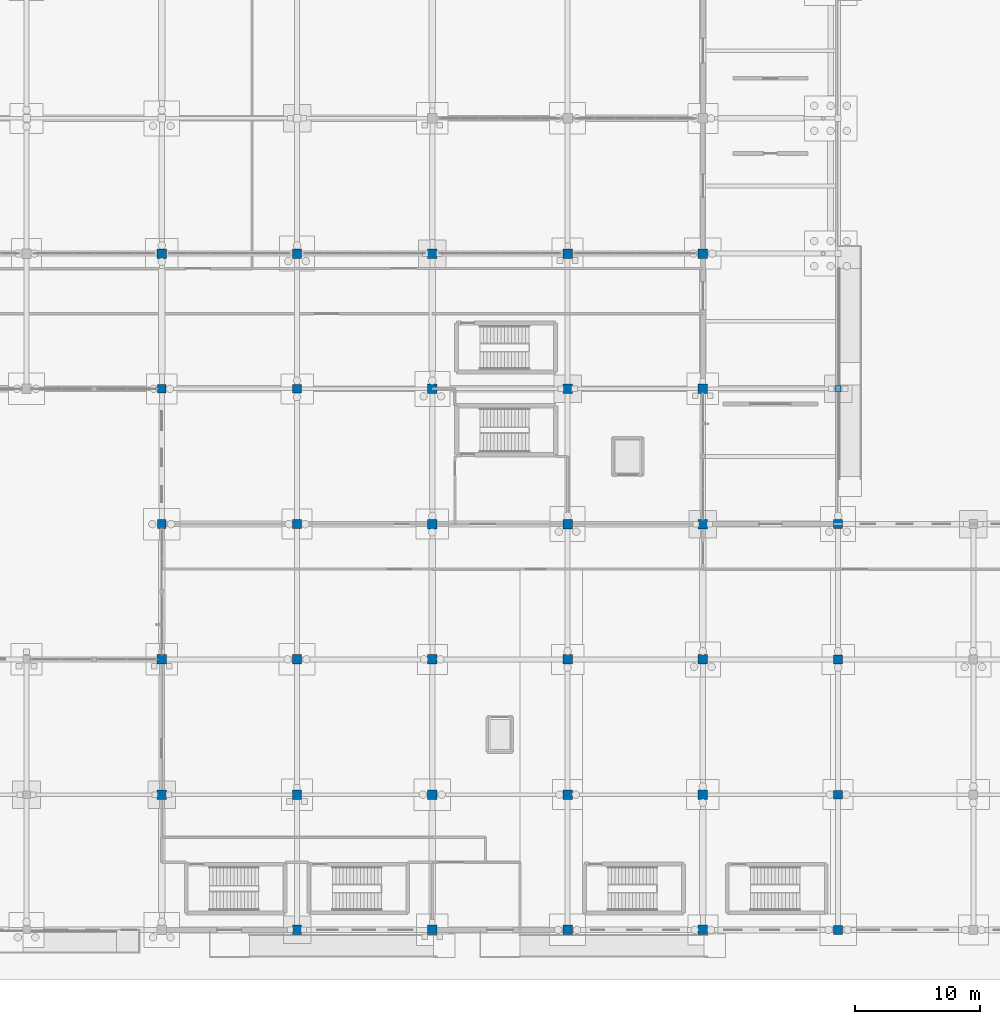
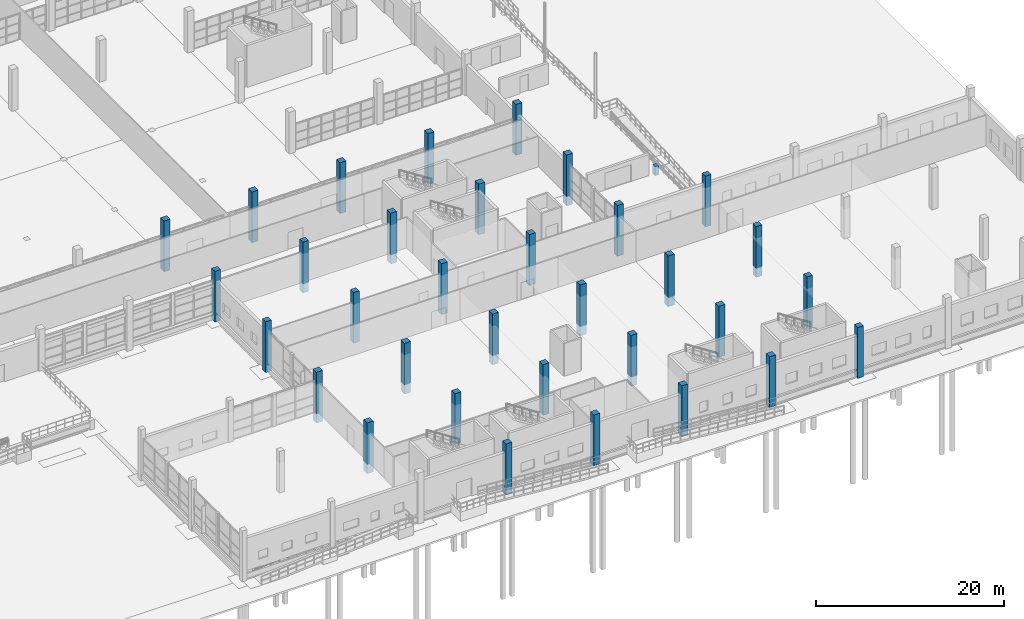
# One storey, part 9 of 138: 34 columns.
"""IFC4 building model written with IfcOpenShell, lengths in metres."""

from ifc_helpers import new_model, si_unit, direction, frame, origin, origin_2d, place, context, subcontext, project, spatial, rectangle, extrude, material, material_profile, profile_set, type_object, element, save


model = new_model("IFC4")

# Units and contexts
model_context = context("Model", 3, precision=1e-05, world=origin(), true_north=direction((0.0, 1.0)))
body_context = subcontext(model_context, "Body", "Model", "MODEL_VIEW")
ifc_project = project(units=[si_unit("LENGTHUNIT", "METRE"), si_unit("AREAUNIT", "SQUARE_METRE"), si_unit("VOLUMEUNIT", "CUBIC_METRE"), si_unit("PLANEANGLEUNIT", "RADIAN"), si_unit("MASSUNIT", "GRAM", prefix="KILO")], contexts=[model_context])

# Site, building, storey
site_placement = place(None, origin())
site = spatial("IfcSite", under=ifc_project, at=site_placement, CompositionType="ELEMENT")
building_placement = place(site_placement, origin())
building = spatial("IfcBuilding", under=site, at=building_placement, Name="Zwinboog Wholesale Market", CompositionType="ELEMENT")
storey_placement = place(building_placement, origin())
storey = spatial("IfcBuildingStorey", under=building, at=storey_placement, Name="L00", CompositionType="ELEMENT", Elevation=0.0)

# Columns
ifc_material = material(Name="Precast concrete C45/55", Category="concrete")
ifc_material_profile_1 = material_profile(ifc_material, rectangle(XDim=0.75, YDim=0.75, at=origin_2d()), Name="PC 750x750")
ifc_profile_set_1 = profile_set([ifc_material_profile_1], Name="Precast concrete C45/55")
column_type_1 = type_object("IfcColumnType", Name="CT-01", PredefinedType="COLUMN", material=ifc_profile_set_1)
for number, where, z_axis, x_axis, name in (
    (1, (129.60009765625, 10.800048828125, -1.199951171875), (0.0, 0.0, 1.0), (1.0, 0.0, 0.0), "C-01 (COL-L00-0265)"),
    (2, (129.60009765625, 21.60009765625, -1.199951171875), (0.0, 0.0, 1.0), (1.0, 0.0, 0.0), "C-01 (COL-L00-0269)"),
    (3, (129.60009765625, 54.0, -1.199951171875), (0.0, 0.0, 1.0), (1.0, 0.0, 0.0), "C-01 (COL-L00-0279)"),
    (4, (140.39990234375, 0.0, -1.199951171875), (0.0, 0.0, 1.0), (1.0, 0.0, 0.0), "C-01 (COL-L00-0293)"),
    (5, (140.39990234375, 10.800048828125, -1.199951171875), (0.0, 0.0, 1.0), (1.0, 0.0, 0.0), "C-01 (COL-L00-0297)"),
    (6, (140.39990234375, 21.60009765625, -1.199951171875), (0.0, 0.0, 1.0), (1.0, 0.0, 0.0), "C-01 (COL-L00-0301)"),
    (7, (140.39990234375, 54.0, -1.199951171875), (0.0, 0.0, 1.0), (1.0, 0.0, 0.0), "C-01 (COL-L00-0311)"),
    (8, (151.199951171875, 0.0, -1.199951171875), (0.0, 0.0, 1.0), (1.0, 0.0, 0.0), "C-01 (COL-L00-0325)"),
    (9, (151.199951171875, 10.800048828125, -1.199951171875), (0.0, 0.0, 1.0), (1.0, 0.0, 0.0), "C-01 (COL-L00-0329)"),
    (10, (151.199951171875, 21.60009765625, -1.199951171875), (0.0, 0.0, 1.0), (1.0, 0.0, 0.0), "C-01 (COL-L00-0333)"),
    (11, (151.199951171875, 32.39990234375, -1.199951171875), (0.0, 0.0, 1.0), (1.0, 0.0, 0.0), "C-01 (COL-L00-0337)"),
    (12, (151.199951171875, 43.199951171875, -1.199951171875), (0.0, 0.0, 1.0), (1.0, 0.0, 0.0), "C-01 (COL-L00-0341)"),
    (13, (151.199951171875, 54.0, -1.199951171875), (0.0, 0.0, 1.0), (1.0, 0.0, 0.0), "C-01 (COL-L00-0345)"),
    (14, (162.0, 0.0, -1.199951171875), (0.0, 0.0, 1.0), (1.0, 0.0, 0.0), "C-01 (COL-L00-0361)"),
    (15, (162.0, 10.800048828125, -1.199951171875), (0.0, 0.0, 1.0), (1.0, 0.0, 0.0), "C-01 (COL-L00-0365)"),
    (16, (162.0, 21.60009765625, -1.199951171875), (0.0, 0.0, 1.0), (1.0, 0.0, 0.0), "C-01 (COL-L00-0369)"),
    (17, (162.0, 32.39990234375, -1.199951171875), (0.0, 0.0, 1.0), (1.0, 0.0, 0.0), "C-01 (COL-L00-0373)"),
    (18, (162.0, 43.199951171875, -1.199951171875), (0.0, 0.0, 1.0), (1.0, 0.0, 0.0), "C-01 (COL-L00-0377)"),
    (19, (162.0, 54.0, -1.199951171875), (0.0, 0.0, 1.0), (1.0, 0.0, 0.0), "C-01 (COL-L00-0381)"),
    (20, (172.800048828125, 0.0, -1.199951171875), (0.0, 0.0, 1.0), (1.0, 0.0, 0.0), "C-01 (COL-L00-0397)"),
    (21, (172.800048828125, 10.800048828125, -1.199951171875), (0.0, 0.0, 1.0), (1.0, 0.0, 0.0), "C-01 (COL-L00-0401)"),
    (22, (172.800048828125, 21.60009765625, -1.199951171875), (0.0, 0.0, 1.0), (1.0, 0.0, 0.0), "C-01 (COL-L00-0405)"),
    (23, (172.800048828125, 32.39990234375, -1.199951171875), (0.0, 0.0, 1.0), (1.0, 0.0, 0.0), "C-01 (COL-L00-0409)"),
    (24, (172.800048828125, 43.199951171875, -1.199951171875), (0.0, 0.0, 1.0), (1.0, 0.0, 0.0), "C-01 (COL-L00-0413)"),
    (25, (172.800048828125, 54.0, -1.199951171875), (0.0, 0.0, 1.0), (1.0, 0.0, 0.0), "C-01 (COL-L00-0417)"),
):
    element("IfcColumn", number, at=place(storey_placement, frame(where, z_axis=z_axis, x_axis=x_axis)), inside=storey, type_object=column_type_1, Name=name, PredefinedType="COLUMN", context=body_context, shape_type="SweptSolid", body=[
        extrude(rectangle(XDim=0.75, YDim=0.75, at=origin_2d()), origin(), (0.0, 0.0, 1.0), 6.599853515625),
    ])
ifc_material_profile_2 = material_profile(ifc_material, rectangle(XDim=0.699951171875, YDim=0.699951171875, at=origin_2d()), Name="PC 700x700")
ifc_profile_set_2 = profile_set([ifc_material_profile_2], Name="Precast concrete C45/55")
column_type_2 = type_object("IfcColumnType", Name="CT-02", PredefinedType="COLUMN", material=ifc_profile_set_2)
for number, where, z_axis, x_axis, name in (
    (26, (129.60009765625, 32.39990234375, -1.199951171875), (0.0, 0.0, 1.0), (1.0, 0.0, 0.0), "C-02 (COL-L00-0273)"),
    (27, (129.60009765625, 43.199951171875, -1.199951171875), (0.0, 0.0, 1.0), (1.0, 0.0, 0.0), "C-02 (COL-L00-0276)"),
    (28, (140.39990234375, 32.39990234375, -1.199951171875), (0.0, 0.0, 1.0), (1.0, 0.0, 0.0), "C-02 (COL-L00-0305)"),
    (29, (140.39990234375, 43.199951171875, -1.199951171875), (0.0, 0.0, 1.0), (1.0, 0.0, 0.0), "C-02 (COL-L00-0308)"),
    (30, (183.60009765625, 0.0, -1.199951171875), (0.0, 0.0, 1.0), (1.0, 0.0, 0.0), "C-02 (COL-L00-0433)"),
    (31, (183.60009765625, 10.800048828125, -1.199951171875), (0.0, 0.0, 1.0), (1.0, 0.0, 0.0), "C-02 (COL-L00-0436)"),
    (32, (183.60009765625, 21.60009765625, -1.199951171875), (0.0, 0.0, 1.0), (1.0, 0.0, 0.0), "C-02 (COL-L00-0439)"),
    (33, (183.60009765625, 32.39990234375, -1.199951171875), (0.0, 0.0, 1.0), (1.0, 0.0, 0.0), "C-02 (COL-L00-0442)"),
):
    element("IfcColumn", number, at=place(storey_placement, frame(where, z_axis=z_axis, x_axis=x_axis)), inside=storey, type_object=column_type_2, Name=name, PredefinedType="COLUMN", context=body_context, shape_type="SweptSolid", body=[
        extrude(rectangle(XDim=0.699951171875, YDim=0.699951171875, at=origin_2d()), origin(), (0.0, 0.0, 1.0), 6.599853515625),
    ])
ifc_material_profile_3 = material_profile(ifc_material, rectangle(XDim=0.5, YDim=0.5, at=origin_2d()), Name="PC 500x500")
ifc_profile_set_3 = profile_set([ifc_material_profile_3], Name="Precast concrete C45/55")
column_type_3 = type_object("IfcColumnType", Name="CT-06", PredefinedType="COLUMN", material=ifc_profile_set_3)
column_placement = place(storey_placement, frame((183.60009765625, 43.199951171875, -1.199951171875), z_axis=(0.0, 0.0, 1.0), x_axis=(1.0, 0.0, 0.0)))
element("IfcColumn", 34, at=column_placement, inside=storey, type_object=column_type_3, Name="C-06 (COL-L00-0445)", PredefinedType="COLUMN", context=body_context, shape_type="SweptSolid", body=[
    extrude(rectangle(XDim=0.5, YDim=0.5, at=origin_2d()), origin(), (0.0, 0.0, 1.0), 1.199951171875),
])

save(model, "model.ifc")
